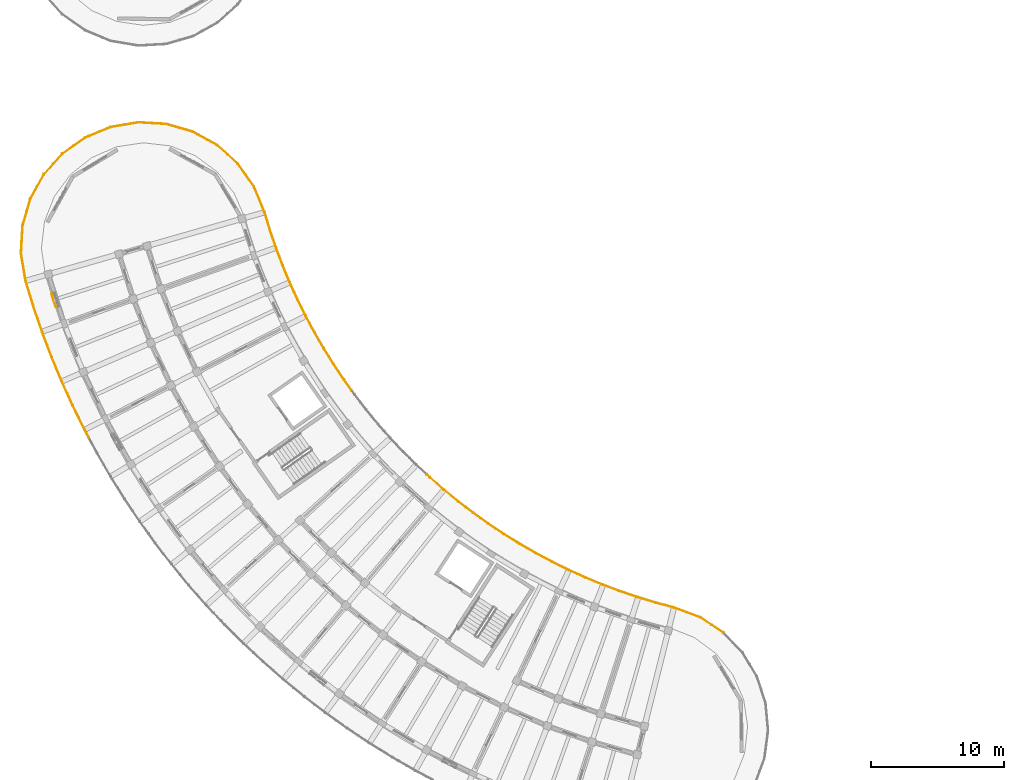
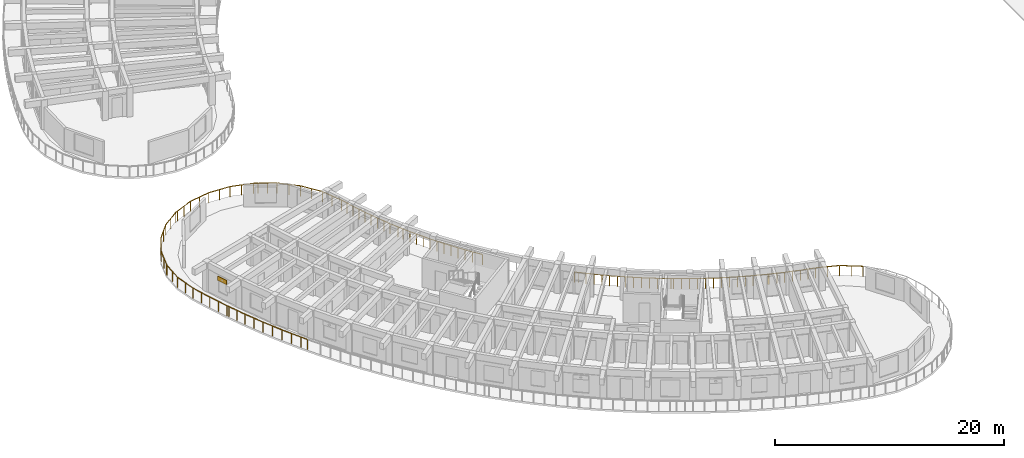
# One storey, part 55 of 69: 10 railings, 1 shading device.
"""IFC4 building model written with IfcOpenShell, lengths in metres."""

from ifc_helpers import new_model, si_unit, direction, frame, origin, origin_2d, place, context, subcontext, project, spatial, rectangle, circle, extrude, material, layer, layer_set, type_object, element, save


model = new_model("IFC4")

# Units and contexts
model_context = context("Model", 3, precision=1e-05, world=origin(), true_north=direction((0.0, 1.0)))
body_context = subcontext(model_context, "Body", "Model", "MODEL_VIEW")
ifc_project = project(units=[si_unit("LENGTHUNIT", "METRE"), si_unit("AREAUNIT", "SQUARE_METRE"), si_unit("VOLUMEUNIT", "CUBIC_METRE"), si_unit("PLANEANGLEUNIT", "RADIAN"), si_unit("MASSUNIT", "GRAM", prefix="KILO")], contexts=[model_context])

# Site, building, storey
site_placement = place(None, origin())
site = spatial("IfcSite", under=ifc_project, at=site_placement, CompositionType="ELEMENT")
building_placement = place(site_placement, origin())
building = spatial("IfcBuilding", under=site, at=building_placement, Name="Tanwirah Colonnade Gardens", CompositionType="ELEMENT")
storey_placement = place(building_placement, frame((0.0, 0.0, 15.56005859375)))
storey = spatial("IfcBuildingStorey", under=building, at=storey_placement, Name="L04", CompositionType="ELEMENT", Elevation=15.56005859375)

# Railings
ifc_material_1 = material(Name="Precast concrete C40/50", Category="concrete")
railing_type = type_object("IfcRailingType", Name="BAL-EXT110", PredefinedType="BALUSTRADE", material=ifc_material_1)
railing_1_placement = place(storey_placement, frame((23.1767578125, 54.664794921875, 0.0)))
element("IfcRailing", 1, at=railing_1_placement, inside=storey, type_object=railing_type, Name="Block C L04 Balcony Ribbon Balustrade 1", PredefinedType="BALUSTRADE", context=body_context, shape_type="SweptSolid", body=[
    extrude(circle(Radius=0.02392578125, at=origin_2d()), frame((0.011962890625, -0.02880859375, 1.076171875), z_axis=(0.381489237895, -0.92437328032, 0.0), x_axis=(0.92437328032, 0.381489237895, 0.0)), (0.0, 0.0, 1.0), 2.029541015625),
    extrude(circle(Radius=0.02392578125, at=origin_2d()), frame((0.80712890625, -1.963623046875, 1.076171875), z_axis=(0.291308344694, -0.956629211509, 0.0), x_axis=(0.956629211509, 0.291308344694, 0.0)), (0.0, 0.0, 1.0), 1.327880859375),
    extrude(circle(Radius=0.02392578125, at=origin_2d()), frame((1.2138671875, -3.2958984375, 1.076171875), z_axis=(0.322420738552, -0.946596464895, 0.0), x_axis=(0.946596464895, 0.322420738552, 0.0)), (0.0, 0.0, 1.0), 1.33154296875),
    extrude(circle(Radius=0.02392578125, at=origin_2d()), frame((1.665283203125, -4.61767578125, 1.076171875), z_axis=(0.353291566317, -0.935513265095, 0.0), x_axis=(0.935513265095, 0.353291566317, 0.0)), (0.0, 0.0, 1.0), 1.331298828125),
    extrude(circle(Radius=0.02392578125, at=origin_2d()), frame((2.15966796875, -5.923583984375, 1.076171875), z_axis=(0.383707429873, -0.923454713703, 0.0), x_axis=(0.923454713703, 0.383707429873, 0.0)), (0.0, 0.0, 1.0), 1.33154296875),
    extrude(circle(Radius=0.02392578125, at=origin_2d()), frame((2.696533203125, -7.213134765625, 1.076171875), z_axis=(0.413892102149, -0.9103259459, 0.0), x_axis=(0.9103259459, 0.413892102149, 0.0)), (0.0, 0.0, 1.0), 0.7626953125),
    extrude(circle(Radius=0.02099609375, at=origin_2d()), origin(), (0.0, 0.0, 1.0), 1.049072265625),
    extrude(circle(Radius=0.02099609375, at=origin_2d()), frame((0.39892578125, -0.966796875, 0.0)), (0.0, 0.0, 1.0), 1.049072265625),
    extrude(circle(Radius=0.02099609375, at=origin_2d()), frame((0.798095703125, -1.933837890625, 0.0)), (0.0, 0.0, 1.0), 1.049072265625),
    extrude(circle(Radius=0.02099609375, at=origin_2d()), frame((1.00048828125, -2.598876953125, 0.0)), (0.0, 0.0, 1.0), 1.049072265625),
    extrude(circle(Radius=0.02099609375, at=origin_2d()), frame((1.203125, -3.263916015625, 0.0)), (0.0, 0.0, 1.0), 1.049072265625),
    extrude(circle(Radius=0.02099609375, at=origin_2d()), frame((1.4287109375, -3.92626953125, 0.0)), (0.0, 0.0, 1.0), 1.049072265625),
    extrude(circle(Radius=0.02099609375, at=origin_2d()), frame((1.6533203125, -4.5859375, 0.0)), (0.0, 0.0, 1.0), 1.049072265625),
    extrude(circle(Radius=0.02099609375, at=origin_2d()), frame((1.900390625, -5.240234375, 0.0)), (0.0, 0.0, 1.0), 1.049072265625),
    extrude(circle(Radius=0.02099609375, at=origin_2d()), frame((2.146728515625, -5.892333984375, 0.0)), (0.0, 0.0, 1.0), 1.049072265625),
    extrude(circle(Radius=0.02099609375, at=origin_2d()), frame((2.4150390625, -6.53857421875, 0.0)), (0.0, 0.0, 1.0), 1.049072265625),
    extrude(circle(Radius=0.02099609375, at=origin_2d()), frame((2.6826171875, -7.18212890625, 0.0)), (0.0, 0.0, 1.0), 1.049072265625),
    extrude(circle(Radius=0.02099609375, at=origin_2d()), frame((3.025146484375, -7.935791015625, 0.0)), (0.0, 0.0, 1.0), 1.049072265625),
])
railing_2_placement = place(storey_placement, frame((26.201904296875, 46.72900390625, 0.0)))
element("IfcRailing", 2, at=railing_2_placement, inside=storey, type_object=railing_type, Name="Block C L04 Balcony Ribbon Balustrade 2", PredefinedType="BALUSTRADE", context=body_context, shape_type="SweptSolid", body=[
    extrude(circle(Radius=0.02392578125, at=origin_2d()), frame((0.012939453125, -0.028564453125, 1.076171875), z_axis=(0.413414773503, -0.910542818899, 0.0), x_axis=(0.910542818899, 0.413414773503, 0.0)), (0.0, 0.0, 1.0), 0.506103515625),
    extrude(circle(Radius=0.02392578125, at=origin_2d()), frame((0.250244140625, -0.54833984375, 1.076171875), z_axis=(0.443286097627, -0.896380184771, 0.0), x_axis=(0.896380184771, 0.443286097627, 0.0)), (0.0, 0.0, 1.0), 1.33154296875),
    extrude(circle(Radius=0.02392578125, at=origin_2d()), frame((0.8701171875, -1.7998046875, 1.076171875), z_axis=(0.472323466806, -0.881425290484, 0.0), x_axis=(0.881425290484, 0.472323466806, 0.0)), (0.0, 0.0, 1.0), 1.33154296875),
    extrude(circle(Radius=0.02392578125, at=origin_2d()), frame((1.53076171875, -3.0302734375, 1.076171875), z_axis=(0.501015561301, -0.865438274711, 0.0), x_axis=(0.865438274711, 0.501015561301, 0.0)), (0.0, 0.0, 1.0), 1.33154296875),
    extrude(circle(Radius=0.02392578125, at=origin_2d()), frame((2.2314453125, -4.238525390625, 1.076171875), z_axis=(0.529022666758, -0.848607693847, 0.0), x_axis=(0.848607693847, 0.529022666758, 0.0)), (0.0, 0.0, 1.0), 1.33154296875),
    extrude(circle(Radius=0.02392578125, at=origin_2d()), frame((2.970947265625, -5.423095703125, 1.076171875), z_axis=(0.55655786635, -0.830808847692, 0.0), x_axis=(0.830808847692, 0.55655786635, 0.0)), (0.0, 0.0, 1.0), 1.33154296875),
    extrude(circle(Radius=0.02392578125, at=origin_2d()), frame((3.749267578125, -6.5830078125, 1.076171875), z_axis=(0.583385919087, -0.812195093196, 0.0), x_axis=(0.812195093196, 0.583385919087, 0.0)), (0.0, 0.0, 1.0), 0.8828125),
    extrude(circle(Radius=0.02099609375, at=origin_2d()), origin(), (0.0, 0.0, 1.0), 1.049072265625),
    extrude(circle(Radius=0.02099609375, at=origin_2d()), frame((0.235107421875, -0.517822265625, 0.0)), (0.0, 0.0, 1.0), 1.049072265625),
    extrude(circle(Radius=0.02099609375, at=origin_2d()), frame((0.54541015625, -1.14501953125, 0.0)), (0.0, 0.0, 1.0), 1.049072265625),
    extrude(circle(Radius=0.02099609375, at=origin_2d()), frame((0.854248046875, -1.769775390625, 0.0)), (0.0, 0.0, 1.0), 1.049072265625),
    extrude(circle(Radius=0.02099609375, at=origin_2d()), frame((1.1845703125, -2.38671875, 0.0)), (0.0, 0.0, 1.0), 1.049072265625),
    extrude(circle(Radius=0.02099609375, at=origin_2d()), frame((1.513916015625, -3.0009765625, 0.0)), (0.0, 0.0, 1.0), 1.049072265625),
    extrude(circle(Radius=0.02099609375, at=origin_2d()), frame((1.8642578125, -3.6064453125, 0.0)), (0.0, 0.0, 1.0), 1.049072265625),
    extrude(circle(Radius=0.02099609375, at=origin_2d()), frame((2.213623046875, -4.209716796875, 0.0)), (0.0, 0.0, 1.0), 1.049072265625),
    extrude(circle(Radius=0.02099609375, at=origin_2d()), frame((2.58349609375, -4.803466796875, 0.0)), (0.0, 0.0, 1.0), 1.049072265625),
    extrude(circle(Radius=0.02099609375, at=origin_2d()), frame((2.952392578125, -5.39501953125, 0.0)), (0.0, 0.0, 1.0), 1.049072265625),
    extrude(circle(Radius=0.02099609375, at=origin_2d()), frame((3.341552734375, -5.976318359375, 0.0)), (0.0, 0.0, 1.0), 1.049072265625),
    extrude(circle(Radius=0.02099609375, at=origin_2d()), frame((3.7294921875, -6.555419921875, 0.0)), (0.0, 0.0, 1.0), 1.049072265625),
    extrude(circle(Radius=0.02099609375, at=origin_2d()), frame((4.282470703125, -7.325439453125, 0.0)), (0.0, 0.0, 1.0), 1.049072265625),
])
railing_3_placement = place(storey_placement, frame((36.13134765625, 33.070068359375, 0.0)))
element("IfcRailing", 3, at=railing_3_placement, inside=storey, type_object=railing_type, Name="Block C L04 Balcony Ribbon Balustrade 4", PredefinedType="BALUSTRADE", context=body_context, shape_type="SweptSolid", body=[
    extrude(circle(Radius=0.02392578125, at=origin_2d()), frame((0.02294921875, -0.021240234375, 1.076171875), z_axis=(0.730857442629, -0.682530144795, 0.0), x_axis=(0.682530144795, 0.730857442629, 0.0)), (0.0, 0.0, 1.0), 0.265869140625),
    extrude(circle(Radius=0.02392578125, at=origin_2d()), frame((0.265380859375, -0.24658203125, 1.076171875), z_axis=(0.752565845379, -0.658517006894, 0.0), x_axis=(0.658517006894, 0.752565845379, 0.0)), (0.0, 0.0, 1.0), 1.33154296875),
    extrude(circle(Radius=0.02392578125, at=origin_2d()), frame((1.317138671875, -1.16552734375, 1.076171875), z_axis=(0.773762182392, -0.633476191424, 0.0), x_axis=(0.633476191424, 0.773762182392, 0.0)), (0.0, 0.0, 1.0), 1.33154296875),
    extrude(circle(Radius=0.02392578125, at=origin_2d()), frame((2.398681640625, -2.049560546875, 1.076171875), z_axis=(0.793969886309, -0.607957087001, 0.0), x_axis=(0.607957087001, 0.793969886309, 0.0)), (0.0, 0.0, 1.0), 1.331298828125),
    extrude(circle(Radius=0.02392578125, at=origin_2d()), frame((3.508056640625, -2.8974609375, 1.076171875), z_axis=(0.813473063063, -0.581602592558, 0.0), x_axis=(0.581602592558, 0.813473063063, 0.0)), (0.0, 0.0, 1.0), 1.33154296875),
    extrude(circle(Radius=0.02392578125, at=origin_2d()), frame((4.64501953125, -3.708984375, 1.076171875), z_axis=(0.832077237554, -0.554659779274, 0.0), x_axis=(0.554659779274, 0.832077237554, 0.0)), (0.0, 0.0, 1.0), 1.33154296875),
    extrude(circle(Radius=0.02392578125, at=origin_2d()), frame((5.8076171875, -4.482666015625, 1.076171875), z_axis=(0.849786479113, -0.527127062401, 0.0), x_axis=(0.527127062401, 0.849786479113, 0.0)), (0.0, 0.0, 1.0), 1.123046875),
    extrude(circle(Radius=0.02099609375, at=origin_2d()), origin(), (0.0, 0.0, 1.0), 1.049072265625),
    extrude(circle(Radius=0.02099609375, at=origin_2d()), frame((0.239990234375, -0.22412109375, 0.0)), (0.0, 0.0, 1.0), 1.049072265625),
    extrude(circle(Radius=0.02099609375, at=origin_2d()), frame((0.7666015625, -0.68505859375, 0.0)), (0.0, 0.0, 1.0), 1.049072265625),
    extrude(circle(Radius=0.02099609375, at=origin_2d()), frame((1.291015625, -1.14404296875, 0.0)), (0.0, 0.0, 1.0), 1.049072265625),
    extrude(circle(Radius=0.02099609375, at=origin_2d()), frame((1.832275390625, -1.58740234375, 0.0)), (0.0, 0.0, 1.0), 1.049072265625),
    extrude(circle(Radius=0.02099609375, at=origin_2d()), frame((2.37158203125, -2.02880859375, 0.0)), (0.0, 0.0, 1.0), 1.049072265625),
    extrude(circle(Radius=0.02099609375, at=origin_2d()), frame((2.92724609375, -2.4541015625, 0.0)), (0.0, 0.0, 1.0), 1.049072265625),
    extrude(circle(Radius=0.02099609375, at=origin_2d()), frame((3.48046875, -2.8779296875, 0.0)), (0.0, 0.0, 1.0), 1.049072265625),
    extrude(circle(Radius=0.02099609375, at=origin_2d()), frame((4.0498046875, -3.28466796875, 0.0)), (0.0, 0.0, 1.0), 1.049072265625),
    extrude(circle(Radius=0.02099609375, at=origin_2d()), frame((4.61669921875, -3.690185546875, 0.0)), (0.0, 0.0, 1.0), 1.049072265625),
    extrude(circle(Radius=0.02099609375, at=origin_2d()), frame((5.19873046875, -4.078125, 0.0)), (0.0, 0.0, 1.0), 1.049072265625),
    extrude(circle(Radius=0.02099609375, at=origin_2d()), frame((5.77880859375, -4.46484375, 0.0)), (0.0, 0.0, 1.0), 1.049072265625),
    extrude(circle(Radius=0.02099609375, at=origin_2d()), frame((6.78857421875, -5.09130859375, 0.0)), (0.0, 0.0, 1.0), 1.049072265625),
])
railing_4_placement = place(storey_placement, frame((42.919921875, 27.978759765625, 0.0)))
element("IfcRailing", 4, at=railing_4_placement, inside=storey, type_object=railing_type, Name="Block C L04 Balcony Ribbon Balustrade 5", PredefinedType="BALUSTRADE", context=body_context, shape_type="SweptSolid", body=[
    extrude(circle(Radius=0.02392578125, at=origin_2d()), frame((0.026611328125, -0.0166015625, 1.076171875), z_axis=(0.849640166198, -0.527362861778, 0.0), x_axis=(0.527362861778, 0.849640166198, 0.0)), (0.0, 0.0, 1.0), 0.145751953125),
    extrude(circle(Radius=0.02392578125, at=origin_2d()), frame((0.206298828125, -0.126708984375, 1.076171875), z_axis=(0.866535241782, -0.499115893104, 0.0), x_axis=(0.499115893104, 0.866535241782, 0.0)), (0.0, 0.0, 1.0), 1.33154296875),
    extrude(circle(Radius=0.02392578125, at=origin_2d()), frame((1.417236328125, -0.82275390625, 1.076171875), z_axis=(0.88242081136, -0.470460956593, 0.0), x_axis=(0.470460956593, 0.88242081136, 0.0)), (0.0, 0.0, 1.0), 1.331298828125),
    extrude(circle(Radius=0.02392578125, at=origin_2d()), frame((2.650146484375, -1.47900390625, 1.076171875), z_axis=(0.897349966121, -0.441319655469, 0.0), x_axis=(0.441319655469, 0.897349966121, 0.0)), (0.0, 0.0, 1.0), 1.33154296875),
    extrude(circle(Radius=0.02392578125, at=origin_2d()), frame((3.90380859375, -2.094482421875, 1.076171875), z_axis=(0.911383314029, -0.411558568018, 0.0), x_axis=(0.411558568018, 0.911383314029, 0.0)), (0.0, 0.0, 1.0), 1.33154296875),
    extrude(circle(Radius=0.02392578125, at=origin_2d()), frame((5.177001953125, -2.66845703125, 1.076171875), z_axis=(0.924300384608, -0.381665821122, 0.0), x_axis=(0.381665821122, 0.924300384608, 0.0)), (0.0, 0.0, 1.0), 1.331298828125),
    extrude(circle(Radius=0.02392578125, at=origin_2d()), frame((6.46826171875, -3.200439453125, 1.076171875), z_axis=(0.936267698759, -0.351287341447, 0.0), x_axis=(0.351287341447, 0.936267698759, 0.0)), (0.0, 0.0, 1.0), 1.243408203125),
    extrude(circle(Radius=0.02099609375, at=origin_2d()), origin(), (0.0, 0.0, 1.0), 1.049072265625),
    extrude(circle(Radius=0.02099609375, at=origin_2d()), frame((0.177001953125, -0.10986328125, 0.0)), (0.0, 0.0, 1.0), 1.049072265625),
    extrude(circle(Radius=0.02099609375, at=origin_2d()), frame((0.783203125, -0.458984375, 0.0)), (0.0, 0.0, 1.0), 1.049072265625),
    extrude(circle(Radius=0.02099609375, at=origin_2d()), frame((1.38720703125, -0.806884765625, 0.0)), (0.0, 0.0, 1.0), 1.049072265625),
    extrude(circle(Radius=0.02099609375, at=origin_2d()), frame((2.004638671875, -1.135986328125, 0.0)), (0.0, 0.0, 1.0), 1.049072265625),
    extrude(circle(Radius=0.02099609375, at=origin_2d()), frame((2.61962890625, -1.4638671875, 0.0)), (0.0, 0.0, 1.0), 1.049072265625),
    extrude(circle(Radius=0.02099609375, at=origin_2d()), frame((3.24755859375, -1.772705078125, 0.0)), (0.0, 0.0, 1.0), 1.049072265625),
    extrude(circle(Radius=0.02099609375, at=origin_2d()), frame((3.873046875, -2.080322265625, 0.0)), (0.0, 0.0, 1.0), 1.049072265625),
    extrude(circle(Radius=0.02099609375, at=origin_2d()), frame((4.510498046875, -2.368408203125, 0.0)), (0.0, 0.0, 1.0), 1.049072265625),
    extrude(circle(Radius=0.02099609375, at=origin_2d()), frame((5.145751953125, -2.6552734375, 0.0)), (0.0, 0.0, 1.0), 1.049072265625),
    extrude(circle(Radius=0.02099609375, at=origin_2d()), frame((5.79248046875, -2.92236328125, 0.0)), (0.0, 0.0, 1.0), 1.049072265625),
    extrude(circle(Radius=0.02099609375, at=origin_2d()), frame((6.4365234375, -3.1884765625, 0.0)), (0.0, 0.0, 1.0), 1.049072265625),
    extrude(circle(Radius=0.02099609375, at=origin_2d()), frame((7.66162109375, -3.648193359375, 0.0)), (0.0, 0.0, 1.0), 1.049072265625),
])
railing_5_placement = place(storey_placement, frame((50.58154296875, 24.33056640625, 0.0)))
element("IfcRailing", 5, at=railing_5_placement, inside=storey, type_object=railing_type, Name="Block C L04 Balcony Ribbon Balustrade 6", PredefinedType="BALUSTRADE", context=body_context, shape_type="SweptSolid", body=[
    extrude(circle(Radius=0.02392578125, at=origin_2d()), frame((0.029296875, -0.010986328125, 1.076171875), z_axis=(0.937010964775, -0.349299945449, 0.0), x_axis=(0.349299945449, 0.937010964775, 0.0)), (0.0, 0.0, 1.0), 0.025634765625),
    extrude(circle(Radius=0.02392578125, at=origin_2d()), frame((0.114501953125, -0.041748046875, 1.076171875), z_axis=(0.947255234668, -0.320480140404, 0.0), x_axis=(0.320480140404, 0.947255234668, 0.0)), (0.0, 0.0, 1.0), 1.33154296875),
    extrude(circle(Radius=0.02392578125, at=origin_2d()), frame((1.438232421875, -0.48828125, 1.076171875), z_axis=(0.957270084886, -0.289195408993, 0.0), x_axis=(0.289195408993, 0.957270084886, 0.0)), (0.0, 0.0, 1.0), 1.331298828125),
    extrude(circle(Radius=0.02392578125, at=origin_2d()), frame((2.775390625, -0.89111328125, 1.076171875), z_axis=(0.96619995466, -0.257793808332, 0.0), x_axis=(0.257793808332, 0.96619995466, 0.0)), (0.0, 0.0, 1.0), 1.32763671875),
    extrude(circle(Radius=0.02392578125, at=origin_2d()), frame((4.11767578125, -1.25244140625, 1.076171875), z_axis=(0.937103821965, -0.349050751121, 0.0), x_axis=(0.349050751121, 0.937103821965, 0.0)), (0.0, 0.0, 1.0), 2.029541015625),
    extrude(circle(Radius=0.02392578125, at=origin_2d()), frame((6.074951171875, -1.98876953125, 1.076171875), z_axis=(0.835935529347, -0.548827651248, 0.0), x_axis=(0.548827651248, 0.835935529347, 0.0)), (0.0, 0.0, 1.0), 2.024169921875),
    extrude(circle(Radius=0.02099609375, at=origin_2d()), origin(), (0.0, 0.0, 1.0), 1.049072265625),
    extrude(circle(Radius=0.02099609375, at=origin_2d()), frame((0.08251953125, -0.03076171875, 0.0)), (0.0, 0.0, 1.0), 1.049072265625),
    extrude(circle(Radius=0.02099609375, at=origin_2d()), frame((0.7451171875, -0.255126953125, 0.0)), (0.0, 0.0, 1.0), 1.049072265625),
    extrude(circle(Radius=0.02099609375, at=origin_2d()), frame((1.405517578125, -0.478515625, 0.0)), (0.0, 0.0, 1.0), 1.049072265625),
    extrude(circle(Radius=0.02099609375, at=origin_2d()), frame((2.0751953125, -0.6806640625, 0.0)), (0.0, 0.0, 1.0), 1.049072265625),
    extrude(circle(Radius=0.02099609375, at=origin_2d()), frame((2.742431640625, -0.88232421875, 0.0)), (0.0, 0.0, 1.0), 1.049072265625),
    extrude(circle(Radius=0.02099609375, at=origin_2d()), frame((3.416748046875, -1.062255859375, 0.0)), (0.0, 0.0, 1.0), 1.049072265625),
    extrude(circle(Radius=0.02099609375, at=origin_2d()), frame((4.08837890625, -1.241455078125, 0.0)), (0.0, 0.0, 1.0), 1.049072265625),
    extrude(circle(Radius=0.02099609375, at=origin_2d()), frame((5.068603515625, -1.6064453125, 0.0)), (0.0, 0.0, 1.0), 1.049072265625),
    extrude(circle(Radius=0.02099609375, at=origin_2d()), frame((6.048828125, -1.9716796875, 0.0)), (0.0, 0.0, 1.0), 1.049072265625),
    extrude(circle(Radius=0.02099609375, at=origin_2d()), frame((6.9208984375, -2.54443359375, 0.0)), (0.0, 0.0, 1.0), 1.049072265625),
    extrude(circle(Radius=0.02099609375, at=origin_2d()), frame((7.793212890625, -3.116943359375, 0.0)), (0.0, 0.0, 1.0), 1.049072265625),
])
railing_6_placement = place(storey_placement, frame((10.80078125, 35.834716796875, 0.0)))
element("IfcRailing", 6, at=railing_6_placement, inside=storey, type_object=railing_type, Name="Block C L04 Balcony Ribbon Balustrade 16", PredefinedType="BALUSTRADE", context=body_context, shape_type="SweptSolid", body=[
    extrude(circle(Radius=0.02392578125, at=origin_2d()), frame((-0.0146484375, 0.027587890625, 1.076171875), z_axis=(-0.472201112316, 0.881490844835, 0.0), x_axis=(-0.881490844835, -0.472201112316, 0.0)), (0.0, 0.0, 1.0), 0.60498046875),
    extrude(circle(Radius=0.02392578125, at=origin_2d()), frame((-0.3291015625, 0.616455078125, 1.076171875), z_axis=(-0.443316350815, 0.896365223054, 0.0), x_axis=(-0.896365223054, -0.443316350815, 0.0)), (0.0, 0.0, 1.0), 1.9443359375),
    extrude(circle(Radius=0.02392578125, at=origin_2d()), frame((-1.2177734375, 2.415771484375, 1.076171875), z_axis=(-0.413665439989, 0.910428966893, 0.0), x_axis=(-0.910428966893, -0.413665439989, 0.0)), (0.0, 0.0, 1.0), 1.944091796875),
    extrude(circle(Radius=0.02392578125, at=origin_2d()), frame((-2.046875, 4.242919921875, 1.076171875), z_axis=(-0.383777149523, 0.923425741196, 0.0), x_axis=(-0.923425741196, -0.383777149523, 0.0)), (0.0, 0.0, 1.0), 1.94384765625),
    extrude(circle(Radius=0.02392578125, at=origin_2d()), frame((-2.81591796875, 6.09619140625, 1.076171875), z_axis=(-0.353159580161, 0.935563098321, 0.0), x_axis=(-0.935563098321, -0.353159580161, 0.0)), (0.0, 0.0, 1.0), 1.75),
    extrude(circle(Radius=0.02099609375, at=origin_2d()), origin(), (0.0, 0.0, 1.0), 1.049072265625),
    extrude(circle(Radius=0.02099609375, at=origin_2d()), frame((-0.315185546875, 0.58837890625, 0.0)), (0.0, 0.0, 1.0), 1.049072265625),
    extrude(circle(Radius=0.02099609375, at=origin_2d()), frame((-0.760009765625, 1.48779296875, 0.0)), (0.0, 0.0, 1.0), 1.049072265625),
    extrude(circle(Radius=0.02099609375, at=origin_2d()), frame((-1.204833984375, 2.38720703125, 0.0)), (0.0, 0.0, 1.0), 1.049072265625),
    extrude(circle(Radius=0.02099609375, at=origin_2d()), frame((-1.619873046875, 3.30078125, 0.0)), (0.0, 0.0, 1.0), 1.049072265625),
    extrude(circle(Radius=0.02099609375, at=origin_2d()), frame((-2.034912109375, 4.214111328125, 0.0)), (0.0, 0.0, 1.0), 1.049072265625),
    extrude(circle(Radius=0.02099609375, at=origin_2d()), frame((-2.419921875, 5.140625, 0.0)), (0.0, 0.0, 1.0), 1.049072265625),
    extrude(circle(Radius=0.02099609375, at=origin_2d()), frame((-2.804931640625, 6.06689453125, 0.0)), (0.0, 0.0, 1.0), 1.049072265625),
    extrude(circle(Radius=0.02099609375, at=origin_2d()), frame((-3.125, 6.914794921875, 0.0)), (0.0, 0.0, 1.0), 1.049072265625),
    extrude(circle(Radius=0.02099609375, at=origin_2d()), frame((-3.445068359375, 7.7626953125, 0.0)), (0.0, 0.0, 1.0), 1.049072265625),
])
railing_7_placement = place(storey_placement, frame((7.355712890625, 43.597412109375, 0.0)))
element("IfcRailing", 7, at=railing_7_placement, inside=storey, type_object=railing_type, Name="Block C L04 Balcony Ribbon Balustrade 17", PredefinedType="BALUSTRADE", context=body_context, shape_type="SweptSolid", body=[
    extrude(circle(Radius=0.02392578125, at=origin_2d()), frame((-0.010986328125, 0.029296875, 1.076171875), z_axis=(-0.353327210697, 0.935499803411, 0.0), x_axis=(-0.935499803411, -0.353327210697, 0.0)), (0.0, 0.0, 1.0), 0.131591796875),
    extrude(circle(Radius=0.02392578125, at=origin_2d()), frame((-0.07861328125, 0.211181640625, 1.076171875), z_axis=(-0.322426184604, 0.946594609895, 0.0), x_axis=(-0.946594609895, -0.322426184604, 0.0)), (0.0, 0.0, 1.0), 1.944091796875),
    extrude(circle(Radius=0.02392578125, at=origin_2d()), frame((-0.724609375, 2.11083984375, 1.076171875), z_axis=(-0.291360501176, 0.956613327502, 0.0), x_axis=(-0.956613327502, -0.291360501176, 0.0)), (0.0, 0.0, 1.0), 1.940185546875),
    extrude(circle(Radius=0.02392578125, at=origin_2d()), frame((-1.30419921875, 4.027587890625, 1.076171875), z_axis=(-0.166273240714, 0.98607971758, 0.0), x_axis=(-0.98607971758, -0.166273240714, 0.0)), (0.0, 0.0, 1.0), 2.0283203125),
    extrude(circle(Radius=0.02392578125, at=origin_2d()), frame((-1.64501953125, 6.08984375, 1.076171875), z_axis=(0.057322977065, 0.998355686266, 0.0), x_axis=(-0.998355686266, 0.057322977065, 0.0)), (0.0, 0.0, 1.0), 2.0244140625),
    extrude(circle(Radius=0.02392578125, at=origin_2d()), frame((-1.518310546875, 8.172119140625, 1.076171875), z_axis=(0.277708416947, 0.960665412699, 0.0), x_axis=(-0.960665412699, 0.277708416947, 0.0)), (0.0, 0.0, 1.0), 0.05615234375),
    extrude(circle(Radius=0.02099609375, at=origin_2d()), origin(), (0.0, 0.0, 1.0), 1.049072265625),
    extrude(circle(Radius=0.02099609375, at=origin_2d()), frame((-0.068603515625, 0.181640625, 0.0)), (0.0, 0.0, 1.0), 1.049072265625),
    extrude(circle(Radius=0.02099609375, at=origin_2d()), frame((-0.39208984375, 1.13134765625, 0.0)), (0.0, 0.0, 1.0), 1.049072265625),
    extrude(circle(Radius=0.02099609375, at=origin_2d()), frame((-0.715576171875, 2.0810546875, 0.0)), (0.0, 0.0, 1.0), 1.049072265625),
    extrude(circle(Radius=0.02099609375, at=origin_2d()), frame((-1.00732421875, 3.0390625, 0.0)), (0.0, 0.0, 1.0), 1.049072265625),
    extrude(circle(Radius=0.02099609375, at=origin_2d()), frame((-1.299072265625, 3.996826171875, 0.0)), (0.0, 0.0, 1.0), 1.049072265625),
    extrude(circle(Radius=0.02099609375, at=origin_2d()), frame((-1.472900390625, 5.02783203125, 0.0)), (0.0, 0.0, 1.0), 1.049072265625),
    extrude(circle(Radius=0.02099609375, at=origin_2d()), frame((-1.646728515625, 6.05859375, 0.0)), (0.0, 0.0, 1.0), 1.049072265625),
    extrude(circle(Radius=0.02099609375, at=origin_2d()), frame((-1.5869140625, 7.100341796875, 0.0)), (0.0, 0.0, 1.0), 1.049072265625),
    extrude(circle(Radius=0.02099609375, at=origin_2d()), frame((-1.527099609375, 8.14208984375, 0.0)), (0.0, 0.0, 1.0), 1.049072265625),
    extrude(circle(Radius=0.02099609375, at=origin_2d()), frame((-1.494140625, 8.256103515625, 0.0)), (0.0, 0.0, 1.0), 1.049072265625),
])
railing_8_placement = place(storey_placement, frame((5.861572265625, 51.853515625, 0.0)))
element("IfcRailing", 8, at=railing_8_placement, inside=storey, type_object=railing_type, Name="Block C L04 Balcony Ribbon Balustrade 18", PredefinedType="BALUSTRADE", context=body_context, shape_type="SweptSolid", body=[
    extrude(circle(Radius=0.02392578125, at=origin_2d()), frame((0.0087890625, 0.030029296875, 1.076171875), z_axis=(0.278012892346, 0.960577342898, 0.0), x_axis=(-0.960577342898, 0.278012892346, 0.0)), (0.0, 0.0, 1.0), 1.905517578125),
    extrude(circle(Radius=0.02392578125, at=origin_2d()), frame((0.562255859375, 1.917724609375, 1.076171875), z_axis=(0.484758723036, 0.874647917988, 0.0), x_axis=(-0.874647917988, 0.484758723036, 0.0)), (0.0, 0.0, 1.0), 2.0244140625),
    extrude(circle(Radius=0.02392578125, at=origin_2d()), frame((1.57958984375, 3.739013671875, 1.076171875), z_axis=(0.667321336148, 0.744769920393, 0.0), x_axis=(-0.744769920393, 0.667321336148, 0.0)), (0.0, 0.0, 1.0), 2.0244140625),
    extrude(circle(Radius=0.02392578125, at=origin_2d()), frame((2.97705078125, 5.2880859375, 1.076171875), z_axis=(0.816286486525, 0.577647272924, 0.0), x_axis=(-0.577647272924, 0.816286486525, 0.0)), (0.0, 0.0, 1.0), 2.0244140625),
    extrude(circle(Radius=0.02392578125, at=origin_2d()), frame((4.683837890625, 6.487548828125, 1.076171875), z_axis=(0.924323547442, 0.381609721631, 0.0), x_axis=(-0.381609721631, 0.924323547442, 0.0)), (0.0, 0.0, 1.0), 0.208740234375),
    extrude(circle(Radius=0.02099609375, at=origin_2d()), origin(), (0.0, 0.0, 1.0), 1.049072265625),
    extrude(circle(Radius=0.02099609375, at=origin_2d()), frame((0.2734375, 0.9453125, 0.0)), (0.0, 0.0, 1.0), 1.049072265625),
    extrude(circle(Radius=0.02099609375, at=origin_2d()), frame((0.547119140625, 1.890380859375, 0.0)), (0.0, 0.0, 1.0), 1.049072265625),
    extrude(circle(Radius=0.02099609375, at=origin_2d()), frame((1.052978515625, 2.80322265625, 0.0)), (0.0, 0.0, 1.0), 1.049072265625),
    extrude(circle(Radius=0.02099609375, at=origin_2d()), frame((1.558837890625, 3.7158203125, 0.0)), (0.0, 0.0, 1.0), 1.049072265625),
    extrude(circle(Radius=0.02099609375, at=origin_2d()), frame((2.255126953125, 4.492919921875, 0.0)), (0.0, 0.0, 1.0), 1.049072265625),
    extrude(circle(Radius=0.02099609375, at=origin_2d()), frame((2.951416015625, 5.27001953125, 0.0)), (0.0, 0.0, 1.0), 1.049072265625),
    extrude(circle(Radius=0.02099609375, at=origin_2d()), frame((3.80322265625, 5.872802734375, 0.0)), (0.0, 0.0, 1.0), 1.049072265625),
    extrude(circle(Radius=0.02099609375, at=origin_2d()), frame((4.655029296875, 6.4755859375, 0.0)), (0.0, 0.0, 1.0), 1.049072265625),
    extrude(circle(Radius=0.02099609375, at=origin_2d()), frame((4.90576171875, 6.5791015625, 0.0)), (0.0, 0.0, 1.0), 1.049072265625),
])
railing_9_placement = place(storey_placement, frame((10.767333984375, 58.4326171875, 0.0)))
element("IfcRailing", 9, at=railing_9_placement, inside=storey, type_object=railing_type, Name="Block C L04 Balcony Ribbon Balustrade 19", PredefinedType="BALUSTRADE", context=body_context, shape_type="SweptSolid", body=[
    extrude(circle(Radius=0.02392578125, at=origin_2d()), frame((0.02880859375, 0.011962890625, 1.076171875), z_axis=(0.92436866453, 0.381500422064, 0.0), x_axis=(-0.381500422064, 0.92436866453, 0.0)), (0.0, 0.0, 1.0), 1.7529296875),
    extrude(circle(Radius=0.02392578125, at=origin_2d()), frame((1.708984375, 0.69775390625, 1.076171875), z_axis=(0.986066327641, 0.166352629957, 0.0), x_axis=(-0.166352629957, 0.986066327641, 0.0)), (0.0, 0.0, 1.0), 2.0244140625),
    extrude(circle(Radius=0.02392578125, at=origin_2d()), frame((3.767333984375, 1.0380859375, 1.076171875), z_axis=(0.998355686266, -0.057322977065, 0.0), x_axis=(0.057322977065, 0.998355686266, 0.0)), (0.0, 0.0, 1.0), 2.0244140625),
    extrude(circle(Radius=0.02392578125, at=origin_2d()), frame((5.849609375, 0.911376953125, 1.076171875), z_axis=(0.960560153031, -0.278072279108, 0.0), x_axis=(0.278072279108, 0.960560153031, 0.0)), (0.0, 0.0, 1.0), 2.0244140625),
    extrude(circle(Radius=0.02392578125, at=origin_2d()), frame((7.8515625, 0.32470703125, 1.076171875), z_axis=(0.874592040268, -0.484859529245, 0.0), x_axis=(0.484859529245, 0.874592040268, 0.0)), (0.0, 0.0, 1.0), 0.36083984375),
    extrude(circle(Radius=0.02099609375, at=origin_2d()), origin(), (0.0, 0.0, 1.0), 1.049072265625),
    extrude(circle(Radius=0.02099609375, at=origin_2d()), frame((0.839111328125, 0.34619140625, 0.0)), (0.0, 0.0, 1.0), 1.049072265625),
    extrude(circle(Radius=0.02099609375, at=origin_2d()), frame((1.67822265625, 0.692626953125, 0.0)), (0.0, 0.0, 1.0), 1.049072265625),
    extrude(circle(Radius=0.02099609375, at=origin_2d()), frame((2.70703125, 0.8662109375, 0.0)), (0.0, 0.0, 1.0), 1.049072265625),
    extrude(circle(Radius=0.02099609375, at=origin_2d()), frame((3.736083984375, 1.039794921875, 0.0)), (0.0, 0.0, 1.0), 1.049072265625),
    extrude(circle(Radius=0.02099609375, at=origin_2d()), frame((4.77783203125, 0.97998046875, 0.0)), (0.0, 0.0, 1.0), 1.049072265625),
    extrude(circle(Radius=0.02099609375, at=origin_2d()), frame((5.819580078125, 0.920166015625, 0.0)), (0.0, 0.0, 1.0), 1.049072265625),
    extrude(circle(Radius=0.02099609375, at=origin_2d()), frame((6.82177734375, 0.6298828125, 0.0)), (0.0, 0.0, 1.0), 1.049072265625),
    extrude(circle(Radius=0.02099609375, at=origin_2d()), frame((7.82421875, 0.33984375, 0.0)), (0.0, 0.0, 1.0), 1.049072265625),
    extrude(circle(Radius=0.02099609375, at=origin_2d()), frame((8.194580078125, 0.134521484375, 0.0)), (0.0, 0.0, 1.0), 1.049072265625),
])
railing_10_placement = place(storey_placement, frame((18.9619140625, 58.567138671875, 0.0)))
element("IfcRailing", 10, at=railing_10_placement, inside=storey, type_object=railing_type, Name="Block C L04 Balcony Ribbon Balustrade 20", PredefinedType="BALUSTRADE", context=body_context, shape_type="SweptSolid", body=[
    extrude(circle(Radius=0.02392578125, at=origin_2d()), frame((0.02734375, -0.01513671875, 1.076171875), z_axis=(0.874627650651, -0.484795289495, 0.0), x_axis=(0.484795289495, 0.874627650651, 0.0)), (0.0, 0.0, 1.0), 1.600830078125),
    extrude(circle(Radius=0.02392578125, at=origin_2d()), frame((1.47802734375, -0.8271484375, 1.076171875), z_axis=(0.744822012119, -0.667263194146, 0.0), x_axis=(0.667263194146, 0.744822012119, 0.0)), (0.0, 0.0, 1.0), 2.0244140625),
    extrude(circle(Radius=0.02392578125, at=origin_2d()), frame((3.02734375, -2.224609375, 1.076171875), z_axis=(0.577702435947, -0.81624744747, 0.0), x_axis=(0.81624744747, 0.577702435947, 0.0)), (0.0, 0.0, 1.0), 2.0244140625),
    extrude(circle(Radius=0.02099609375, at=origin_2d()), origin(), (0.0, 0.0, 1.0), 1.049072265625),
    extrude(circle(Radius=0.02099609375, at=origin_2d()), frame((0.7275390625, -0.4033203125, 0.0)), (0.0, 0.0, 1.0), 1.049072265625),
    extrude(circle(Radius=0.02099609375, at=origin_2d()), frame((1.454833984375, -0.806396484375, 0.0)), (0.0, 0.0, 1.0), 1.049072265625),
    extrude(circle(Radius=0.02099609375, at=origin_2d()), frame((2.23193359375, -1.502685546875, 0.0)), (0.0, 0.0, 1.0), 1.049072265625),
    extrude(circle(Radius=0.02099609375, at=origin_2d()), frame((3.00927734375, -2.198974609375, 0.0)), (0.0, 0.0, 1.0), 1.049072265625),
    extrude(circle(Radius=0.02099609375, at=origin_2d()), frame((3.612060546875, -3.05078125, 0.0)), (0.0, 0.0, 1.0), 1.049072265625),
    extrude(circle(Radius=0.02099609375, at=origin_2d()), frame((4.21484375, -3.90234375, 0.0)), (0.0, 0.0, 1.0), 1.049072265625),
])

# Shading device
ifc_material_2 = material(Name="Perforated architectural bronze aluminium", Category="aluminium")
ifc_layer = layer(ifc_material_2, 0.050048828125)
ifc_layer_set = layer_set([ifc_layer], Name="Perforated architectural bronze aluminium")
shading_device_type = type_object("IfcShadingDeviceType", Name="SHD-OVH1", PredefinedType="SHUTTER", material=ifc_layer_set)
shading_device_placement = place(storey_placement, frame((8.16162109375, 46.121826171875, 1.8349609375), z_axis=(0.0, 0.0, 1.0), x_axis=(0.30694295016, -0.951727915608, 0.0)))
element("IfcShadingDevice", 11, at=shading_device_placement, inside=storey, type_object=shading_device_type, Name="Solar shading louver hood C-L04-00", PredefinedType="SHUTTER", context=body_context, shape_type="SweptSolid", body=[
    extrude(rectangle(XDim=1.080078125, YDim=0.06005859375, at=origin_2d()), origin(), (0.0, 0.0, 1.0), 0.449951171875),
])

save(model, "model.ifc")
